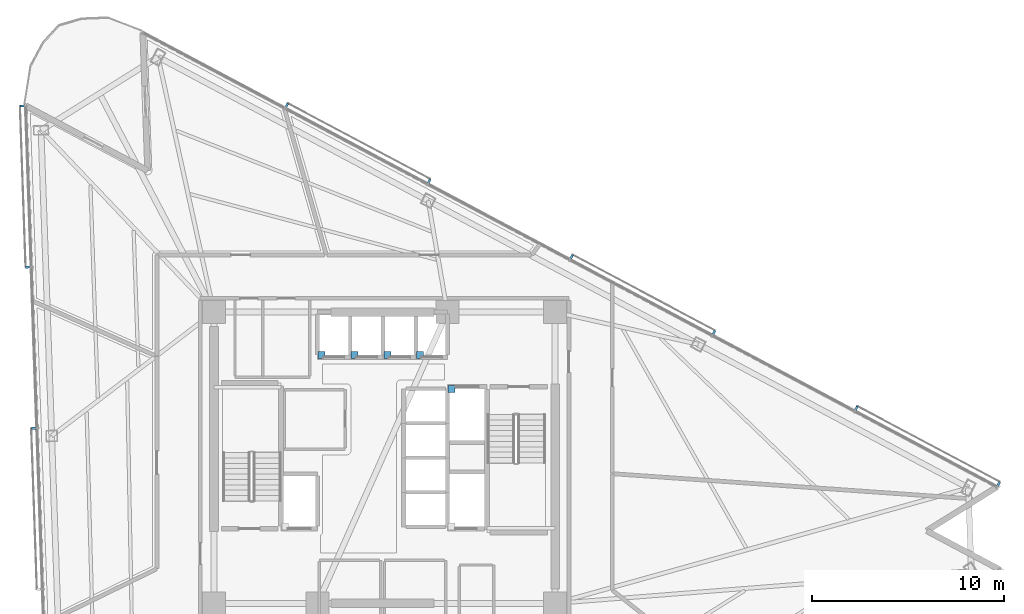
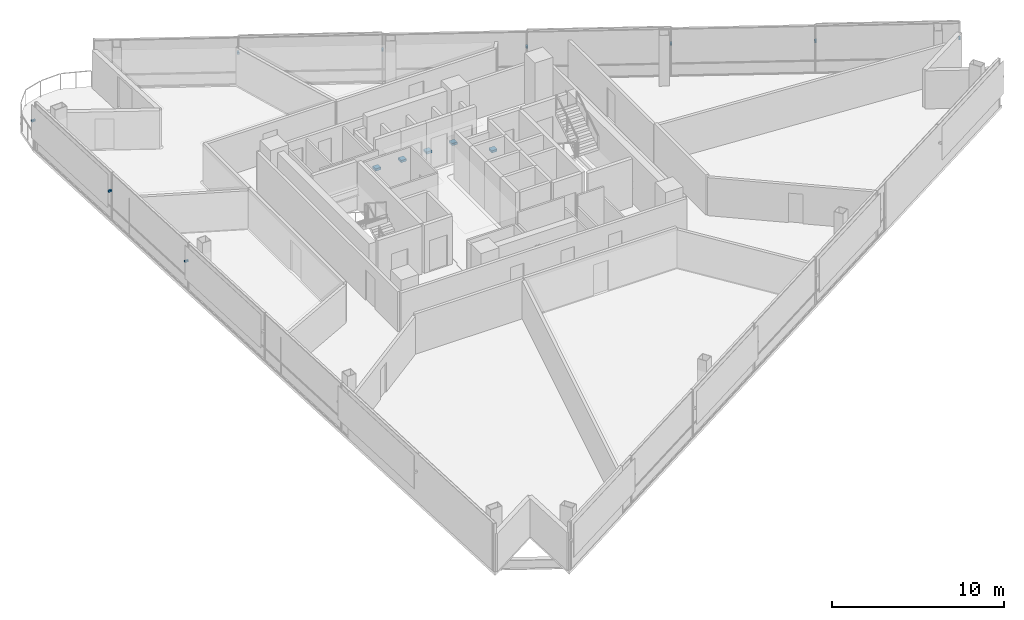
# One storey, part 16 of 21: 14 discrete accessories.
"""IFC4 building model written with IfcOpenShell, lengths in metres."""

from ifc_helpers import new_model, si_unit, direction, frame, origin, origin_2d, place, context, subcontext, project, spatial, rectangle, extrude, material, type_object, element, save


model = new_model("IFC4")

# Units and contexts
model_context = context("Model", 3, precision=1e-05, world=origin(), true_north=direction((0.0, 1.0)))
body_context = subcontext(model_context, "Body", "Model", "MODEL_VIEW")
ifc_project = project(units=[si_unit("LENGTHUNIT", "METRE"), si_unit("AREAUNIT", "SQUARE_METRE"), si_unit("VOLUMEUNIT", "CUBIC_METRE"), si_unit("PLANEANGLEUNIT", "RADIAN"), si_unit("MASSUNIT", "GRAM", prefix="KILO")], contexts=[model_context])

# Site, building, storey
site_placement = place(None, origin())
site = spatial("IfcSite", under=ifc_project, at=site_placement, CompositionType="ELEMENT")
building_placement = place(site_placement, origin())
building = spatial("IfcBuilding", under=site, at=building_placement, Name="Tharavind Bronze Gate", CompositionType="ELEMENT")
storey_placement = place(building_placement, frame((0.0, 0.0, 142.39990234375)))
storey = spatial("IfcBuildingStorey", under=building, at=storey_placement, Name="L36", CompositionType="ELEMENT", Elevation=142.39990234375)

# Discrete accessories
ifc_material_1 = material(Name="Galvanised Steel S355", Category="steel")
discrete_accessory_type_1 = type_object("IfcDiscreteAccessoryType", Name="LIFT GUIDE RAIL BRACKET", PredefinedType="BRACKET", material=ifc_material_1)
for number, where, z_axis, x_axis, name in (
    (1, (-3.280029296875, 5.3701171875, 1.1201171875), (0.0, 0.0, 1.0), (1.0, 0.0, 0.0), "Lift PL5 guide rail bracket at L36"),
    (2, (-1.5673828125, 5.3701171875, 1.1201171875), (0.0, 0.0, 1.0), (1.0, 0.0, 0.0), "Lift PL6 guide rail bracket at L36"),
    (3, (0.14501953125, 5.3701171875, 1.1201171875), (0.0, 0.0, 1.0), (1.0, 0.0, 0.0), "Lift PL7 guide rail bracket at L36"),
    (4, (1.857421875, 5.3701171875, 1.1201171875), (0.0, 0.0, 1.0), (1.0, 0.0, 0.0), "Lift PL8 guide rail bracket at L36"),
    (5, (3.5, 3.580078125, 1.1201171875), (0.0, 0.0, 1.0), (1.0, 0.0, 0.0), "Lift FFL2 guide rail bracket at L36"),
):
    element("IfcDiscreteAccessory", number, at=place(storey_placement, frame(where, z_axis=z_axis, x_axis=x_axis)), inside=storey, type_object=discrete_accessory_type_1, Name=name, PredefinedType="BRACKET", context=body_context, shape_type="SweptSolid", body=[
        extrude(rectangle(XDim=0.360107421875, YDim=0.360107421875, at=origin_2d()), origin(), (0.0, 0.0, 1.0), 0.159912109375),
    ])
ifc_material_2 = material(Name="Stainless Steel 316", Category="steel")
discrete_accessory_type_2 = type_object("IfcDiscreteAccessoryType", Name="SOLAR SCREEN STANDOFF BRACKET", PredefinedType="BRACKET", material=ifc_material_2)
for number, where, z_axis, x_axis, name in (
    (6, (-18.899658203125, 18.358154296875, 2.094970703125), (0.0, 0.0, 1.0), (0.034899496703, -0.999390827019, 0.0), "CW-L36-S1 solar screen bracket 1.1"),
    (7, (-18.60595703125, 9.94873046875, 2.094970703125), (0.0, 0.0, 1.0), (0.034899496703, -0.999390827019, 0.0), "CW-L36-S1 solar screen bracket 1.2"),
    (8, (-18.3125, 1.539306640625, 2.094970703125), (0.0, 0.0, 1.0), (0.034899496703, -0.999390827019, 0.0), "CW-L36-S1 solar screen bracket 3.1"),
    (9, (32.04833984375, -1.363525390625, 2.094970703125), (0.0, 0.0, 1.0), (-0.882947592859, 0.469471562786, 0.0), "CW-L36-S3 solar screen bracket 1.1"),
    (10, (24.61865234375, 2.5869140625, 2.094970703125), (0.0, 0.0, 1.0), (-0.882947592859, 0.469471562786, 0.0), "CW-L36-S3 solar screen bracket 1.2"),
    (11, (17.189208984375, 6.537109375, 2.094970703125), (0.0, 0.0, 1.0), (-0.882947592859, 0.469471562786, 0.0), "CW-L36-S3 solar screen bracket 3.1"),
    (12, (9.759521484375, 10.487548828125, 2.094970703125), (0.0, 0.0, 1.0), (-0.882947592859, 0.469471562786, 0.0), "CW-L36-S3 solar screen bracket 3.2"),
    (13, (2.329833984375, 14.43798828125, 2.094970703125), (0.0, 0.0, 1.0), (-0.882947592859, 0.469471562786, 0.0), "CW-L36-S3 solar screen bracket 5.1"),
    (14, (-5.099853515625, 18.388427734375, 2.094970703125), (0.0, 0.0, 1.0), (-0.882947592859, 0.469471562786, 0.0), "CW-L36-S3 solar screen bracket 5.2"),
):
    element("IfcDiscreteAccessory", number, at=place(storey_placement, frame(where, z_axis=z_axis, x_axis=x_axis)), inside=storey, type_object=discrete_accessory_type_2, Name=name, PredefinedType="BRACKET", context=body_context, shape_type="SweptSolid", body=[
        extrude(rectangle(XDim=0.1201171875, YDim=0.239990234375, at=origin_2d()), origin(), (0.0, 0.0, 1.0), 0.1201171875),
    ])

save(model, "model.ifc")
